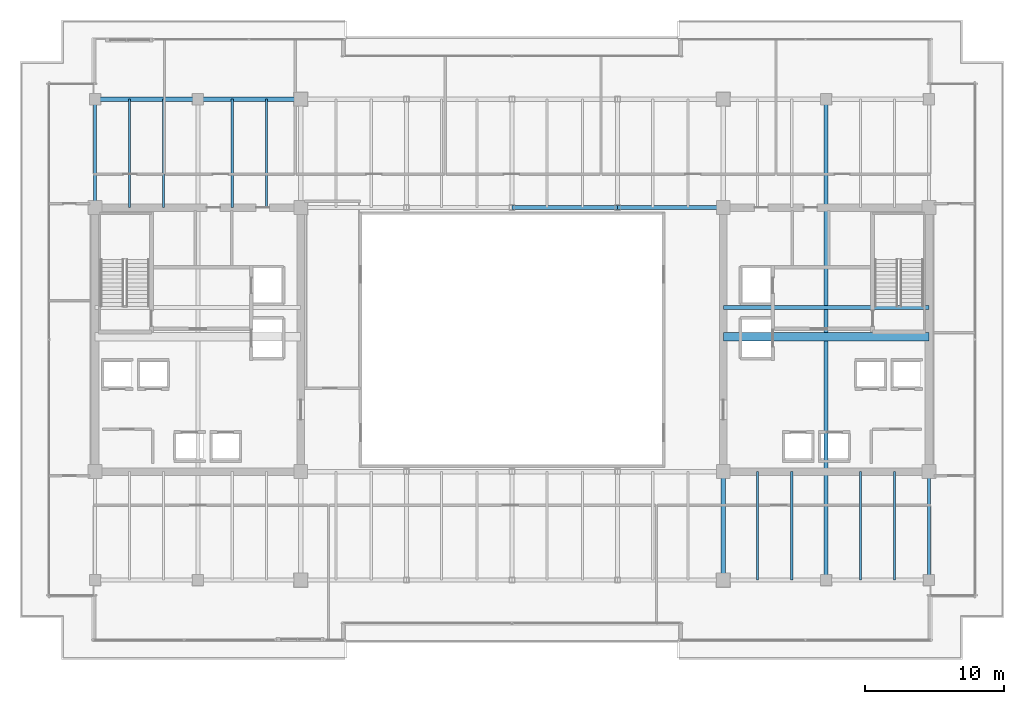
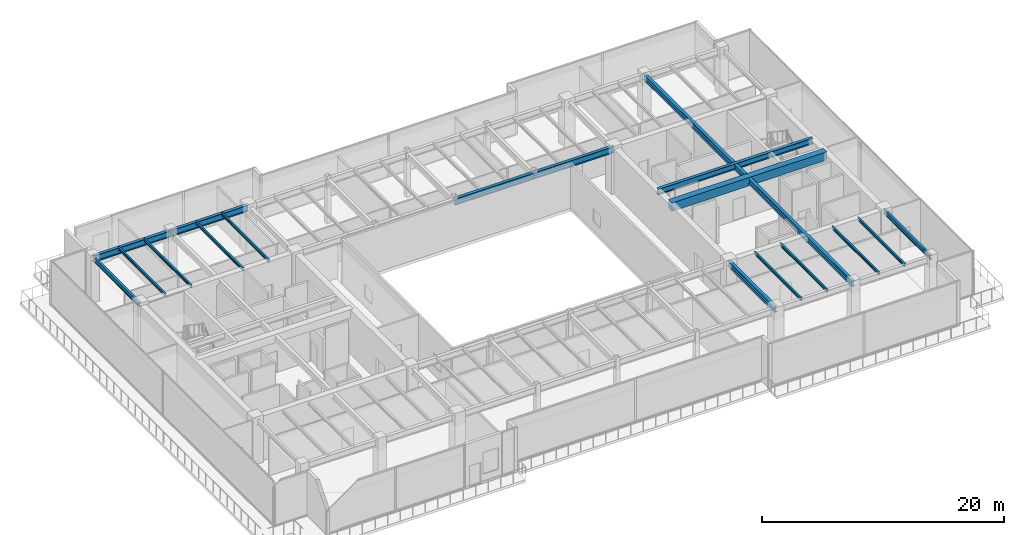
# One storey, part 14 of 37: 18 beams.
"""IFC4 building model written with IfcOpenShell, lengths in metres."""

from ifc_helpers import new_model, si_unit, direction, frame, origin, origin_2d, place, context, subcontext, project, spatial, rectangle, i_section, extrude, source, transform, mapped, material, material_profile, profile_set, type_object, type_shapes, element, save


model = new_model("IFC4")

# Units and contexts
model_context = context("Model", 3, precision=1e-05, world=origin(), true_north=direction((0.0, 1.0)))
body_context = subcontext(model_context, "Body", "Model", "MODEL_VIEW")
ifc_project = project(units=[si_unit("LENGTHUNIT", "METRE"), si_unit("AREAUNIT", "SQUARE_METRE"), si_unit("VOLUMEUNIT", "CUBIC_METRE"), si_unit("PLANEANGLEUNIT", "RADIAN"), si_unit("MASSUNIT", "GRAM", prefix="KILO")], contexts=[model_context])

# Site, building, storey
site_placement = place(None, origin())
site = spatial("IfcSite", under=ifc_project, at=site_placement, CompositionType="ELEMENT")
building_placement = place(site_placement, origin())
building = spatial("IfcBuilding", under=site, at=building_placement, Name="Haelvirn Gate Laboratories", CompositionType="ELEMENT")
storey_placement = place(building_placement, frame((0.0, 0.0, 196.60009765625)))
storey = spatial("IfcBuildingStorey", under=building, at=storey_placement, Name="L47", CompositionType="ELEMENT", Elevation=196.60009765625)

# Beams
ifc_material_1 = material(Name="Steel SM355", Category="steel")
ifc_material_profile_1 = material_profile(ifc_material_1, i_section(OverallWidth=0.300048828125, OverallDepth=0.587890625, WebThickness=0.011962890625, FlangeThickness=0.02001953125, at=origin_2d()), Name="H-588x300x12x20")
ifc_profile_set_1 = profile_set([ifc_material_profile_1], Name="Steel SM355")
beam_type_1 = type_object("IfcBeamType", Name="BM-G-588", PredefinedType="BEAM", material=ifc_profile_set_1)
shared_shape_1 = source(origin(), body_context, "Body", "SweptSolid", [
    extrude(i_section(OverallWidth=0.300048828125, OverallDepth=0.587890625, WebThickness=0.011962890625, FlangeThickness=0.02001953125, at=origin_2d()), origin(), (0.0, 0.0, 1.0), 14.7998046875),
])
beam_1_placement = place(storey_placement, frame((52.60009765625, 26.6201171875, 4.205810546875), z_axis=(1.0, 0.0, 0.0), x_axis=(0.0, 1.0, 0.0)))
element("IfcBeam", 1, at=beam_1_placement, inside=storey, type_object=beam_type_1, Name="L47 Stair ST2 Landing Header", PredefinedType="BEAM", context=body_context, shape_type="MappedRepresentation", body=[
    mapped(shared_shape_1, transform((0.0, 0.0, 0.0), scale=1.0)),
])
ifc_material_profile_2 = material_profile(ifc_material_1, i_section(OverallWidth=0.14990234375, OverallDepth=0.300048828125, WebThickness=0.006591796875, FlangeThickness=0.009033203125, at=origin_2d()), Name="H-300x150x6.5x9")
ifc_profile_set_2 = profile_set([ifc_material_profile_2], Name="Steel SM355")
beam_type_2 = type_object("IfcBeamType", Name="BM-J-300", PredefinedType="JOIST", material=ifc_profile_set_2)
shared_shape_2 = source(origin(), body_context, "Body", "SweptSolid", [
    extrude(i_section(OverallWidth=0.14990234375, OverallDepth=0.300048828125, WebThickness=0.006591796875, FlangeThickness=0.009033203125, at=origin_2d()), origin(), (0.0, 0.0, 1.0), 7.800048828125),
])
type_shapes(beam_type_2, [shared_shape_2])
for number, where, z_axis, x_axis, name in (
    (2, (9.8701171875, 33.800048828125, 4.349853515625), (0.0, 1.0, 0.0), (-1.0, 0.0, 0.0), "L47 Composite Lab Joist North X9.87"),
    (3, (12.330078125, 33.800048828125, 4.349853515625), (0.0, 1.0, 0.0), (-1.0, 0.0, 0.0), "L47 Composite Lab Joist North X12.33"),
    (4, (17.27001953125, 33.800048828125, 4.349853515625), (0.0, 1.0, 0.0), (-1.0, 0.0, 0.0), "L47 Composite Lab Joist North X17.27"),
    (5, (19.72998046875, 33.800048828125, 4.349853515625), (0.0, 1.0, 0.0), (-1.0, 0.0, 0.0), "L47 Composite Lab Joist North X19.73"),
    (6, (55.070068359375, 7.0, 4.349853515625), (0.0, 1.0, 0.0), (-1.0, 0.0, 0.0), "L47 Composite Lab Joist South X55.07"),
    (7, (57.530029296875, 7.0, 4.349853515625), (0.0, 1.0, 0.0), (-1.0, 0.0, 0.0), "L47 Composite Lab Joist South X57.53"),
    (8, (62.469970703125, 7.0, 4.349853515625), (0.0, 1.0, 0.0), (-1.0, 0.0, 0.0), "L47 Composite Lab Joist South X62.47"),
    (9, (64.929931640625, 7.0, 4.349853515625), (0.0, 1.0, 0.0), (-1.0, 0.0, 0.0), "L47 Composite Lab Joist South X64.93"),
):
    element("IfcBeam", number, at=place(storey_placement, frame(where, z_axis=z_axis, x_axis=x_axis)), inside=storey, type_object=beam_type_2, Name=name, PredefinedType="JOIST", context=body_context, shape_type="MappedRepresentation", body=[
        mapped(shared_shape_2, transform((0.0, 0.0, 0.0), scale=1.0)),
    ])
shared_shape_3 = source(origin(), body_context, "Body", "SweptSolid", [
    extrude(i_section(OverallWidth=0.300048828125, OverallDepth=0.587890625, WebThickness=0.011962890625, FlangeThickness=0.02001953125, at=origin_2d()), origin(), (0.0, 0.0, 1.0), 34.60009765625),
])
beam_2_placement = place(storey_placement, frame((60.0, 7.0, 4.205810546875), z_axis=(0.0, 1.0, 0.0), x_axis=(-1.0, 0.0, 0.0)))
element("IfcBeam", 10, at=beam_2_placement, inside=storey, type_object=beam_type_1, Name="L47 Frame Girder X60.0 (7.0-41.6)", PredefinedType="BEAM", context=body_context, shape_type="MappedRepresentation", body=[
    mapped(shared_shape_3, transform((0.0, 0.0, 0.0), scale=1.0)),
])
shared_shape_4 = source(origin(), body_context, "Body", "SweptSolid", [
    extrude(i_section(OverallWidth=0.300048828125, OverallDepth=0.587890625, WebThickness=0.011962890625, FlangeThickness=0.02001953125, at=origin_2d()), origin(), (0.0, 0.0, 1.0), 7.800048828125),
])
type_shapes(beam_type_1, [shared_shape_1, shared_shape_3, shared_shape_4])
beam_3_placement = place(storey_placement, frame((52.60009765625, 7.0, 4.205810546875), z_axis=(0.0, 1.0, 0.0), x_axis=(-1.0, 0.0, 0.0)))
element("IfcBeam", 11, at=beam_3_placement, inside=storey, type_object=beam_type_1, Name="L47 Frame Girder X52.6 (7.0-14.8)", PredefinedType="BEAM", context=body_context, shape_type="MappedRepresentation", body=[
    mapped(shared_shape_4, transform((0.0, 0.0, 0.0), scale=1.0)),
])
ifc_material_2 = material(Name="Concrete C50/60", Category="concrete")
ifc_material_profile_3 = material_profile(ifc_material_2, rectangle(XDim=0.60009765625, YDim=0.85009765625, at=origin_2d()), Name="RCB-600x850")
ifc_profile_set_3 = profile_set([ifc_material_profile_3], Name="Concrete C50/60")
beam_type_3 = type_object("IfcBeamType", Name="BM-RCB-850", PredefinedType="LINTEL", material=ifc_profile_set_3)
shared_shape_5 = source(origin(), body_context, "Body", "SweptSolid", [
    extrude(rectangle(XDim=0.60009765625, YDim=0.85009765625, at=origin_2d()), origin(), (0.0, 0.0, 1.0), 14.7998046875),
])
type_shapes(beam_type_3, [shared_shape_5])
beam_4_placement = place(storey_placement, frame((52.60009765625, 24.5, 4.074951171875), z_axis=(1.0, 0.0, 0.0), x_axis=(0.0, 1.0, 0.0)))
element("IfcBeam", 12, at=beam_4_placement, inside=storey, type_object=beam_type_3, Name="L47 East Core Coupling Beam", PredefinedType="LINTEL", context=body_context, shape_type="MappedRepresentation", body=[
    mapped(shared_shape_5, transform((0.0, 0.0, 0.0), scale=1.0)),
])
ifc_material_profile_4 = material_profile(ifc_material_1, i_section(OverallWidth=0.300048828125, OverallDepth=0.64990234375, WebThickness=0.012939453125, FlangeThickness=0.02197265625, at=origin_2d()), Name="H-650x300x13x22")
ifc_profile_set_4 = profile_set([ifc_material_profile_4], Name="Steel SM355")
beam_type_4 = type_object("IfcBeamType", Name="BM-G-650", PredefinedType="BEAM", material=ifc_profile_set_4)
shared_shape_6 = source(origin(), body_context, "Body", "SweptSolid", [
    extrude(i_section(OverallWidth=0.300048828125, OverallDepth=0.64990234375, WebThickness=0.012939453125, FlangeThickness=0.02197265625, at=origin_2d()), origin(), (0.0, 0.0, 1.0), 7.400146484375),
])
beam_5_placement = place(storey_placement, frame((7.39990234375, 41.60009765625, 4.1748046875), z_axis=(1.0, 0.0, 0.0), x_axis=(0.0, 1.0, 0.0)))
element("IfcBeam", 13, at=beam_5_placement, inside=storey, type_object=beam_type_4, Name="L47 Primary Girder Y41.6 (7.4-14.8)", PredefinedType="BEAM", context=body_context, shape_type="MappedRepresentation", body=[
    mapped(shared_shape_6, transform((0.0, 0.0, 0.0), scale=1.0)),
])
shared_shape_7 = source(origin(), body_context, "Body", "SweptSolid", [
    extrude(i_section(OverallWidth=0.300048828125, OverallDepth=0.64990234375, WebThickness=0.012939453125, FlangeThickness=0.02197265625, at=origin_2d()), origin(), (0.0, 0.0, 1.0), 7.39990234375),
])
beam_6_placement = place(storey_placement, frame((14.800048828125, 41.60009765625, 4.1748046875), z_axis=(1.0, 0.0, 0.0), x_axis=(0.0, 1.0, 0.0)))
element("IfcBeam", 14, at=beam_6_placement, inside=storey, type_object=beam_type_4, Name="L47 Primary Girder Y41.6 (14.8-22.2)", PredefinedType="BEAM", context=body_context, shape_type="MappedRepresentation", body=[
    mapped(shared_shape_7, transform((0.0, 0.0, 0.0), scale=1.0)),
])
shared_shape_8 = source(origin(), body_context, "Body", "SweptSolid", [
    extrude(i_section(OverallWidth=0.300048828125, OverallDepth=0.64990234375, WebThickness=0.012939453125, FlangeThickness=0.02197265625, at=origin_2d()), origin(), (0.0, 0.0, 1.0), 7.60009765625),
])
type_shapes(beam_type_4, [shared_shape_6, shared_shape_7, shared_shape_8])
for number, where, z_axis, x_axis, name in (
    (15, (37.39990234375, 33.800048828125, 4.1748046875), (1.0, 0.0, 0.0), (0.0, 1.0, 0.0), "L47 Primary Girder Y33.8 (37.4-45.0)"),
    (16, (45.0, 33.800048828125, 4.1748046875), (1.0, 0.0, 0.0), (0.0, 1.0, 0.0), "L47 Primary Girder Y33.8 (45.0-52.6)"),
):
    element("IfcBeam", number, at=place(storey_placement, frame(where, z_axis=z_axis, x_axis=x_axis)), inside=storey, type_object=beam_type_4, Name=name, PredefinedType="BEAM", context=body_context, shape_type="MappedRepresentation", body=[
        mapped(shared_shape_8, transform((0.0, 0.0, 0.0), scale=1.0)),
    ])
ifc_material_profile_5 = material_profile(ifc_material_1, i_section(OverallWidth=0.199951171875, OverallDepth=0.449951171875, WebThickness=0.009033203125, FlangeThickness=0.013916015625, at=origin_2d()), Name="H-450x200x9x14")
ifc_profile_set_5 = profile_set([ifc_material_profile_5], Name="Steel SM355")
beam_type_5 = type_object("IfcBeamType", Name="BM-SP-450", PredefinedType="SPANDREL", material=ifc_profile_set_5)
shared_shape_9 = source(origin(), body_context, "Body", "SweptSolid", [
    extrude(i_section(OverallWidth=0.199951171875, OverallDepth=0.449951171875, WebThickness=0.009033203125, FlangeThickness=0.013916015625, at=origin_2d()), origin(), (0.0, 0.0, 1.0), 7.800048828125),
])
type_shapes(beam_type_5, [shared_shape_9])
for number, where, z_axis, x_axis, name in (
    (17, (7.39990234375, 33.800048828125, 4.27490234375), (0.0, 1.0, 0.0), (-1.0, 0.0, 0.0), "L47 Perimeter Spandrel X7.4 (33.8-41.6)"),
    (18, (67.39990234375, 7.0, 4.27490234375), (0.0, 1.0, 0.0), (-1.0, 0.0, 0.0), "L47 Perimeter Spandrel X67.4 (7.0-14.8)"),
):
    element("IfcBeam", number, at=place(storey_placement, frame(where, z_axis=z_axis, x_axis=x_axis)), inside=storey, type_object=beam_type_5, Name=name, PredefinedType="SPANDREL", context=body_context, shape_type="MappedRepresentation", body=[
        mapped(shared_shape_9, transform((0.0, 0.0, 0.0), scale=1.0)),
    ])

save(model, "model.ifc")
